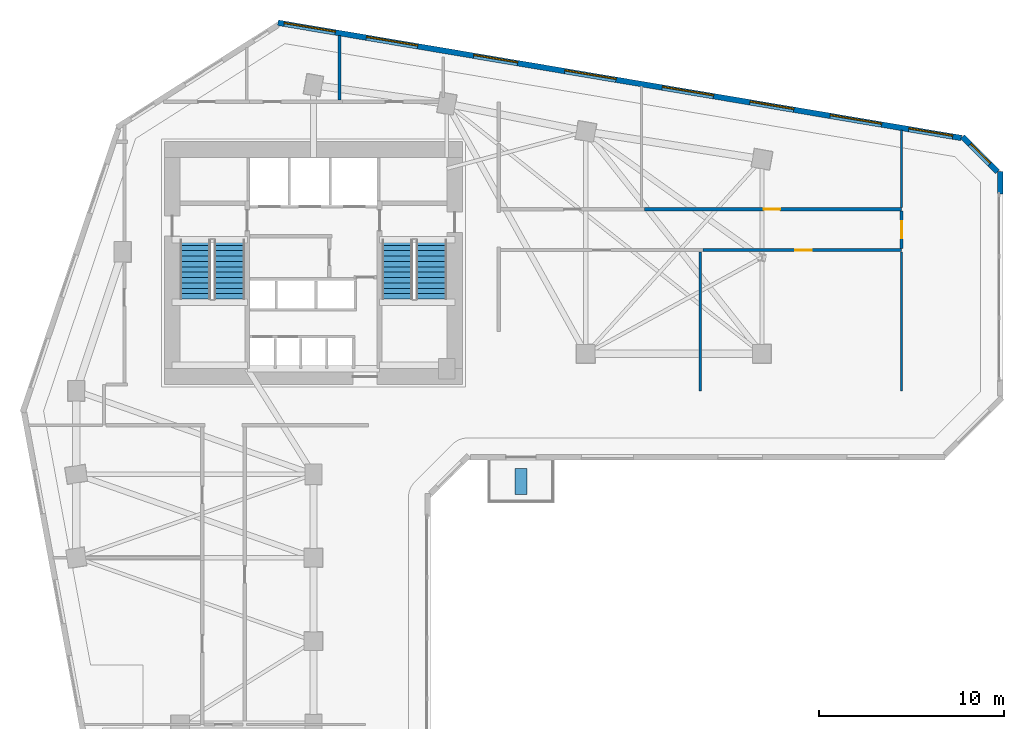
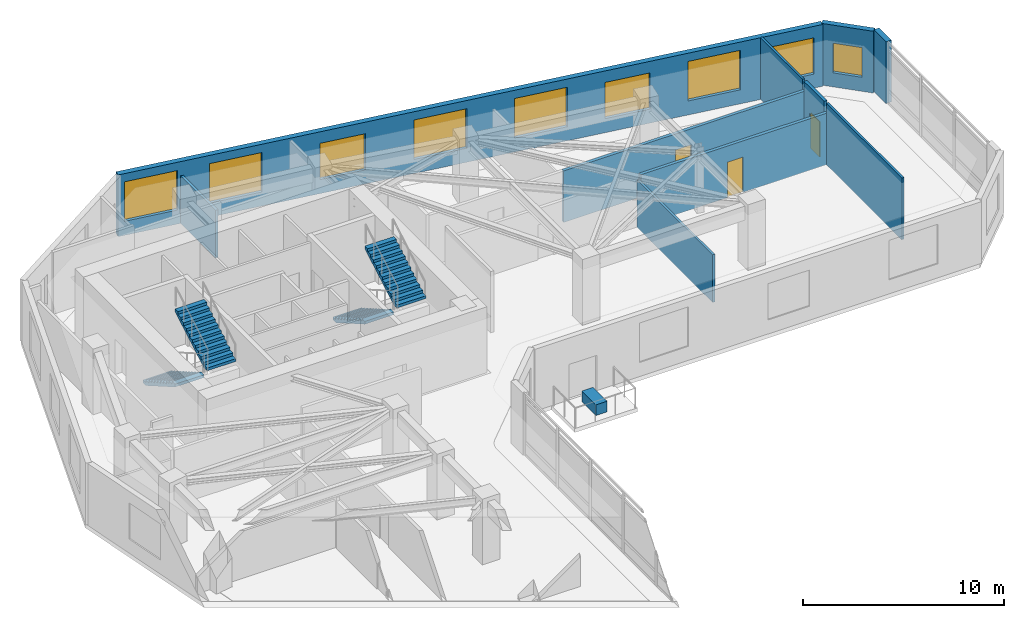
# One storey, part 9 of 11: 10 walls, 9 windows, 4 stair flights, 3 doors, 1 discrete accessory, 12 openings, 2 elements without a shape of their own.
"""IFC4 building model written with IfcOpenShell, lengths in metres."""

from ifc_helpers import new_model, si_unit, direction, frame, frame_2d, origin, origin_2d, place, context, subcontext, project, spatial, polyline, rectangle, outline, extrude, source, transform, mapped, material, layer, layer_set, type_object, element, fill, aggregate, save


model = new_model("IFC4")

# Units and contexts
model_context = context("Model", 3, precision=1e-05, world=origin(), true_north=direction((0.0, 1.0)))
body_context = subcontext(model_context, "Body", "Model", "MODEL_VIEW")
ifc_project = project(units=[si_unit("LENGTHUNIT", "METRE"), si_unit("AREAUNIT", "SQUARE_METRE"), si_unit("VOLUMEUNIT", "CUBIC_METRE"), si_unit("PLANEANGLEUNIT", "RADIAN"), si_unit("MASSUNIT", "GRAM", prefix="KILO")], contexts=[model_context])

# Site, building, storey
site_placement = place(None, origin())
site = spatial("IfcSite", under=ifc_project, at=site_placement, CompositionType="ELEMENT")
building_placement = place(site_placement, origin())
building = spatial("IfcBuilding", under=site, at=building_placement, Name="Calvemar Wedge Station Tower", CompositionType="ELEMENT")
storey_placement = place(building_placement, frame((0.0, 0.0, 43.0)))
storey = spatial("IfcBuildingStorey", under=building, at=storey_placement, Name="L10", CompositionType="ELEMENT", Elevation=43.0)

# Wall, opening, door
ifc_material_1 = material(Name="Double-stud fire-rated corridor partition")
ifc_layer_1 = layer(ifc_material_1, 0.179931640625)
ifc_layer_set_1 = layer_set([ifc_layer_1], Name="Double-stud fire-rated corridor partition")
wall_type_1 = type_object("IfcWallType", Name="W-CORR-180", PredefinedType="PARTITIONING", material=ifc_layer_set_1)
wall_1_placement = place(storey_placement, frame((55.534912109375, 40.60009765625, 0.0), z_axis=(0.0, 0.0, 1.0), x_axis=(-1.0, 0.0, 0.0)))
wall_1 = element("IfcWall", 1, at=wall_1_placement, inside=storey, type_object=wall_type_1, Name="Storey L10 Interior Partition WL-L10-020", PredefinedType="PARTITIONING", context=body_context, shape_type="SweptSolid", body=[
    extrude(rectangle(XDim=10.705810546875, YDim=0.179931640625, at=frame_2d((5.35302734375, 0.0))), origin(), (0.0, 0.0, 1.0), 3.125),
])
shared_shape_1 = source(origin(), body_context, "Body", "SweptSolid", [
    extrude(rectangle(XDim=0.89990234375, YDim=2.14990234375, at=frame_2d((0.449951171875, 1.074951171875))), frame((0.0, 0.10009765625, 0.0), z_axis=(0.0, -1.0, 0.0), x_axis=(1.0, 0.0, 0.0)), (0.0, 0.0, 1.0), 0.199951171875),
])
opening_1_placement = place(wall_1_placement, frame((4.843017578125, 0.0, 0.0)))
opening_1 = element("IfcOpeningElement", 2, at=opening_1_placement, cuts=wall_1, Name="Opening D-01", PredefinedType="OPENING", context=body_context, shape_type="MappedRepresentation", body=[
    mapped(shared_shape_1, transform((0.0, 0.0, 0.0), scale=1.0)),
])
ifc_material_2 = material(Name="Architectural hardwood acoustic swing door", Category="wood")
door_type = type_object("IfcDoorType", Name="DR-INT-900", OperationType="NOTDEFINED", PredefinedType="DOOR", material=ifc_material_2)
shared_shape_2 = source(origin(), body_context, "Body", "SweptSolid", [
    extrude(rectangle(XDim=0.89990234375, YDim=2.14990234375, at=frame_2d((0.449951171875, 1.074951171875))), frame((0.0, 0.02490234375, 0.0), z_axis=(0.0, -1.0, 0.0), x_axis=(1.0, 0.0, 0.0)), (0.0, 0.0, 1.0), 0.050048828125),
])
door_1_placement = place(opening_1_placement, origin())
door_1 = element("IfcDoor", 3, at=door_1_placement, inside=storey, type_object=door_type, Name="L10 Meeting Room Door", OperationType="SINGLE_SWING_LEFT", OverallHeight=2.14990234375, OverallWidth=0.89990234375, PredefinedType="DOOR", context=body_context, shape_type="MappedRepresentation", body=[
    mapped(shared_shape_2, transform((0.0, 0.0, 0.0), scale=1.0)),
])
fill(opening_1, door_1)

wall_2_placement = place(storey_placement, frame((41.662109375, 42.800048828125, 0.0), z_axis=(0.0, 0.0, 1.0), x_axis=(1.0, 0.0, 0.0)))
wall_2 = element("IfcWall", 4, at=wall_2_placement, inside=storey, type_object=wall_type_1, Name="Storey L10 Interior Partition WL-L10-022", PredefinedType="PARTITIONING", context=body_context, shape_type="SweptSolid", body=[
    extrude(rectangle(XDim=13.872802734375, YDim=0.179931640625, at=frame_2d((6.9365234375, 0.0))), origin(), (0.0, 0.0, 1.0), 3.125),
])
opening_2_placement = place(wall_2_placement, frame((6.42626953125, 0.0, 0.0)))
opening_2 = element("IfcOpeningElement", 5, at=opening_2_placement, cuts=wall_2, Name="Opening D-01", PredefinedType="OPENING", context=body_context, shape_type="MappedRepresentation", body=[
    mapped(shared_shape_1, transform((0.0, 0.0, 0.0), scale=1.0)),
])
door_2_placement = place(opening_2_placement, origin())
door_2 = element("IfcDoor", 6, at=door_2_placement, inside=storey, type_object=door_type, Name="L10 Co-Working Studio Door", OperationType="SINGLE_SWING_LEFT", OverallHeight=2.14990234375, OverallWidth=0.89990234375, PredefinedType="DOOR", context=body_context, shape_type="MappedRepresentation", body=[
    mapped(shared_shape_2, transform((0.0, 0.0, 0.0), scale=1.0)),
])
fill(opening_2, door_2)

wall_3_placement = place(storey_placement, frame((55.534912109375, 42.7060546875, 0.0), z_axis=(0.0, 0.0, 1.0), x_axis=(0.0, -1.0, 0.0)))
wall_3 = element("IfcWall", 7, at=wall_3_placement, inside=storey, type_object=wall_type_1, Name="Storey L10 Interior Partition WL-L10-023", PredefinedType="PARTITIONING", context=body_context, shape_type="SweptSolid", body=[
    extrude(rectangle(XDim=2.011962890625, YDim=0.179931640625, at=frame_2d((1.005859375, 0.0))), origin(), (0.0, 0.0, 1.0), 3.75),
])
opening_3_placement = place(wall_3_placement, frame((0.555908203125, 0.0, 0.0)))
opening_3 = element("IfcOpeningElement", 8, at=opening_3_placement, cuts=wall_3, Name="Opening D-01", PredefinedType="OPENING", context=body_context, shape_type="MappedRepresentation", body=[
    mapped(shared_shape_1, transform((0.0, 0.0, 0.0), scale=1.0)),
])
door_3_placement = place(opening_3_placement, origin())
door_3 = element("IfcDoor", 9, at=door_3_placement, inside=storey, type_object=door_type, Name="L10 Staff Lounge Door", OperationType="SINGLE_SWING_RIGHT", OverallHeight=2.14990234375, OverallWidth=0.89990234375, PredefinedType="DOOR", context=body_context, shape_type="MappedRepresentation", body=[
    mapped(shared_shape_2, transform((0.0, 0.0, 0.0), scale=1.0)),
])
fill(opening_3, door_3)

# Wall
ifc_material_3 = material(Name="Precast concrete C45", Category="concrete")
ifc_layer_2 = layer(ifc_material_3, 0.300048828125)
ifc_layer_set_2 = layer_set([ifc_layer_2], Name="Precast concrete C45")
wall_type_2 = type_object("IfcWallType", Name="W-EXT-GFRC-300", PredefinedType="SOLIDWALL", material=ifc_layer_set_2)
wall_4_placement = place(storey_placement, frame((60.85009765625, 43.622802734375, 0.0), z_axis=(0.0, 0.0, 1.0), x_axis=(0.0, 1.0, 0.0)))
element("IfcWall", 10, at=wall_4_placement, inside=storey, type_object=wall_type_2, Name="Storey L10 Bronze GFRC Corner Pier 8B", PredefinedType="SOLIDWALL", context=body_context, shape_type="SweptSolid", body=[
    extrude(rectangle(XDim=1.22509765625, YDim=0.300048828125, at=frame_2d((0.612548828125, 0.0))), origin(), (0.0, 0.0, 1.0), 3.75),
])

# Wall, opening, window
wall_5_placement = place(storey_placement, frame((60.7119140625, 44.8359375, 0.0), z_axis=(0.0, 0.0, 1.0), x_axis=(-0.707106781187, 0.707106781187, 0.0)))
wall_5 = element("IfcWall", 11, at=wall_5_placement, inside=storey, type_object=wall_type_2, Name="Storey L10 Bronze GFRC Exterior Wall 9", PredefinedType="SOLIDWALL", context=body_context, shape_type="SweptSolid", body=[
    extrude(rectangle(XDim=2.673095703125, YDim=0.300048828125, at=frame_2d((1.33642578125, 0.0))), origin(), (0.0, 0.0, 1.0), 3.75),
])
shared_shape_3 = source(origin(), body_context, "Body", "SweptSolid", [
    extrude(rectangle(XDim=1.5, YDim=1.800048828125, at=frame_2d((0.75, 0.89990234375))), frame((0.0, 0.16015625, 0.0), z_axis=(0.0, -1.0, 0.0), x_axis=(1.0, 0.0, 0.0)), (0.0, 0.0, 1.0), 0.320068359375),
])
opening_4_placement = place(wall_5_placement, frame((0.5869140625, 0.0, 0.85009765625)))
opening_4 = element("IfcOpeningElement", 12, at=opening_4_placement, cuts=wall_5, Name="Opening W3", PredefinedType="OPENING", context=body_context, shape_type="MappedRepresentation", body=[
    mapped(shared_shape_3, transform((0.0, 0.0, 0.0), scale=1.0)),
])
ifc_material_4 = material(Name="Low-E laminated insulated glass", Category="glass")
window_type_1 = type_object("IfcWindowType", Name="WIN-EXT-3", PartitioningType="SINGLE_PANEL", PredefinedType="WINDOW", material=ifc_material_4)
shared_shape_4 = source(origin(), body_context, "Body", "SweptSolid", [
    extrude(rectangle(XDim=1.5, YDim=1.800048828125, at=frame_2d((0.75, 0.89990234375))), frame((0.0, -0.014892578125, 0.0), z_axis=(0.0, -1.0, 0.0), x_axis=(1.0, 0.0, 0.0)), (0.0, 0.0, 1.0), 0.06005859375),
])
window_1_placement = place(opening_4_placement, origin())
window_1 = element("IfcWindow", 13, at=window_1_placement, inside=storey, type_object=window_type_1, Name="Storey L10 Recessed Window 9.1", OverallHeight=1.800048828125, OverallWidth=1.5, PartitioningType="SINGLE_PANEL", PredefinedType="WINDOW", context=body_context, shape_type="MappedRepresentation", body=[
    mapped(shared_shape_4, transform((0.0, 0.0, 0.0), scale=1.0)),
])
fill(opening_4, window_1)

# Wall, openings, windows
wall_6_placement = place(storey_placement, frame((58.7607421875, 46.648193359375, 0.0), z_axis=(0.0, 0.0, 1.0), x_axis=(-0.98607502735, 0.166301053624, 0.0)))
wall_6 = element("IfcWall", 14, at=wall_6_placement, inside=storey, type_object=wall_type_2, Name="Storey L10 Bronze GFRC Exterior Wall 10", PredefinedType="SOLIDWALL", context=body_context, shape_type="SweptSolid", body=[
    extrude(rectangle(XDim=37.3974609375, YDim=0.300048828125, at=frame_2d((18.69873046875, 0.0))), origin(), (0.0, 0.0, 1.0), 3.75),
])
shared_shape_5 = source(origin(), body_context, "Body", "SweptSolid", [
    extrude(rectangle(XDim=2.39990234375, YDim=2.199951171875, at=frame_2d((1.199951171875, 1.10009765625))), frame((0.0, 0.16015625, 0.0), z_axis=(0.0, -1.0, 0.0), x_axis=(1.0, 0.0, 0.0)), (0.0, 0.0, 1.0), 0.320068359375),
])
opening_5_placement = place(wall_6_placement, frame((0.47607421875, 0.0, 0.85009765625)))
opening_5 = element("IfcOpeningElement", 15, at=opening_5_placement, cuts=wall_6, Name="Opening W1", PredefinedType="OPENING", context=body_context, shape_type="MappedRepresentation", body=[
    mapped(shared_shape_5, transform((0.0, 0.0, 0.0), scale=1.0)),
])
shared_shape_6 = source(origin(), body_context, "Body", "SweptSolid", [
    extrude(rectangle(XDim=2.800048828125, YDim=2.39990234375, at=frame_2d((1.39990234375, 1.199951171875))), frame((0.0, 0.16015625, 0.0), z_axis=(0.0, -1.0, 0.0), x_axis=(1.0, 0.0, 0.0)), (0.0, 0.0, 1.0), 0.320068359375),
])
opening_6_placement = place(wall_6_placement, frame((4.37109375, 0.0, 0.85009765625)))
opening_6 = element("IfcOpeningElement", 16, at=opening_6_placement, cuts=wall_6, Name="Opening W6", PredefinedType="OPENING", context=body_context, shape_type="MappedRepresentation", body=[
    mapped(shared_shape_6, transform((0.0, 0.0, 0.0), scale=1.0)),
])
opening_7_placement = place(wall_6_placement, frame((9.1689453125, 0.0, 0.85009765625)))
opening_7 = element("IfcOpeningElement", 17, at=opening_7_placement, cuts=wall_6, Name="Opening W1", PredefinedType="OPENING", context=body_context, shape_type="MappedRepresentation", body=[
    mapped(shared_shape_5, transform((0.0, 0.0, 0.0), scale=1.0)),
])
opening_8_placement = place(wall_6_placement, frame((13.56591796875, 0.0, 0.85009765625)))
opening_8 = element("IfcOpeningElement", 18, at=opening_8_placement, cuts=wall_6, Name="Opening W6", PredefinedType="OPENING", context=body_context, shape_type="MappedRepresentation", body=[
    mapped(shared_shape_6, transform((0.0, 0.0, 0.0), scale=1.0)),
])
opening_9_placement = place(wall_6_placement, frame((18.89892578125, 0.0, 0.85009765625)))
opening_9 = element("IfcOpeningElement", 19, at=opening_9_placement, cuts=wall_6, Name="Opening W6", PredefinedType="OPENING", context=body_context, shape_type="MappedRepresentation", body=[
    mapped(shared_shape_6, transform((0.0, 0.0, 0.0), scale=1.0)),
])
opening_10_placement = place(wall_6_placement, frame((24.285888671875, 0.0, 0.85009765625)))
opening_10 = element("IfcOpeningElement", 20, at=opening_10_placement, cuts=wall_6, Name="Opening W1", PredefinedType="OPENING", context=body_context, shape_type="MappedRepresentation", body=[
    mapped(shared_shape_5, transform((0.0, 0.0, 0.0), scale=1.0)),
])
opening_11_placement = place(wall_6_placement, frame((29.757080078125, 0.0, 0.85009765625)))
opening_11 = element("IfcOpeningElement", 21, at=opening_11_placement, cuts=wall_6, Name="Opening W6", PredefinedType="OPENING", context=body_context, shape_type="MappedRepresentation", body=[
    mapped(shared_shape_6, transform((0.0, 0.0, 0.0), scale=1.0)),
])
opening_12_placement = place(wall_6_placement, frame((34.256103515625, 0.0, 0.85009765625)))
opening_12 = element("IfcOpeningElement", 22, at=opening_12_placement, cuts=wall_6, Name="Opening W6", PredefinedType="OPENING", context=body_context, shape_type="MappedRepresentation", body=[
    mapped(shared_shape_6, transform((0.0, 0.0, 0.0), scale=1.0)),
])
window_type_2 = type_object("IfcWindowType", Name="WIN-EXT-6", PartitioningType="SINGLE_PANEL", PredefinedType="WINDOW", material=ifc_material_4)
shared_shape_7 = source(origin(), body_context, "Body", "SweptSolid", [
    extrude(rectangle(XDim=2.800048828125, YDim=2.39990234375, at=frame_2d((1.39990234375, 1.199951171875))), frame((0.0, -0.014892578125, 0.0), z_axis=(0.0, -1.0, 0.0), x_axis=(1.0, 0.0, 0.0)), (0.0, 0.0, 1.0), 0.06005859375),
])
window_2_placement = place(opening_6_placement, origin())
window_2 = element("IfcWindow", 23, at=window_2_placement, inside=storey, type_object=window_type_2, Name="Storey L10 Recessed Window 10.2", OverallHeight=2.39990234375, OverallWidth=2.800048828125, PartitioningType="SINGLE_PANEL", PredefinedType="WINDOW", context=body_context, shape_type="MappedRepresentation", body=[
    mapped(shared_shape_7, transform((0.0, 0.0, 0.0), scale=1.0)),
])
fill(opening_6, window_2)
window_3_placement = place(opening_8_placement, origin())
window_3 = element("IfcWindow", 24, at=window_3_placement, inside=storey, type_object=window_type_2, Name="Storey L10 Recessed Window 10.4", OverallHeight=2.39990234375, OverallWidth=2.800048828125, PartitioningType="SINGLE_PANEL", PredefinedType="WINDOW", context=body_context, shape_type="MappedRepresentation", body=[
    mapped(shared_shape_7, transform((0.0, 0.0, 0.0), scale=1.0)),
])
fill(opening_8, window_3)
window_4_placement = place(opening_9_placement, origin())
window_4 = element("IfcWindow", 25, at=window_4_placement, inside=storey, type_object=window_type_2, Name="Storey L10 Recessed Window 10.5", OverallHeight=2.39990234375, OverallWidth=2.800048828125, PartitioningType="SINGLE_PANEL", PredefinedType="WINDOW", context=body_context, shape_type="MappedRepresentation", body=[
    mapped(shared_shape_7, transform((0.0, 0.0, 0.0), scale=1.0)),
])
fill(opening_9, window_4)
window_5_placement = place(opening_11_placement, origin())
window_5 = element("IfcWindow", 26, at=window_5_placement, inside=storey, type_object=window_type_2, Name="Storey L10 Recessed Window 10.7", OverallHeight=2.39990234375, OverallWidth=2.800048828125, PartitioningType="SINGLE_PANEL", PredefinedType="WINDOW", context=body_context, shape_type="MappedRepresentation", body=[
    mapped(shared_shape_7, transform((0.0, 0.0, 0.0), scale=1.0)),
])
fill(opening_11, window_5)
window_6_placement = place(opening_12_placement, origin())
window_6 = element("IfcWindow", 27, at=window_6_placement, inside=storey, type_object=window_type_2, Name="Storey L10 Recessed Window 10.8", OverallHeight=2.39990234375, OverallWidth=2.800048828125, PartitioningType="SINGLE_PANEL", PredefinedType="WINDOW", context=body_context, shape_type="MappedRepresentation", body=[
    mapped(shared_shape_7, transform((0.0, 0.0, 0.0), scale=1.0)),
])
fill(opening_12, window_6)
window_type_3 = type_object("IfcWindowType", Name="WIN-EXT-1", PartitioningType="SINGLE_PANEL", PredefinedType="WINDOW", material=ifc_material_4)
shared_shape_8 = source(origin(), body_context, "Body", "SweptSolid", [
    extrude(rectangle(XDim=2.39990234375, YDim=2.199951171875, at=frame_2d((1.199951171875, 1.10009765625))), frame((0.0, -0.014892578125, 0.0), z_axis=(0.0, -1.0, 0.0), x_axis=(1.0, 0.0, 0.0)), (0.0, 0.0, 1.0), 0.06005859375),
])
window_7_placement = place(opening_5_placement, origin())
window_7 = element("IfcWindow", 28, at=window_7_placement, inside=storey, type_object=window_type_3, Name="Storey L10 Recessed Window 10.1", OverallHeight=2.199951171875, OverallWidth=2.39990234375, PartitioningType="SINGLE_PANEL", PredefinedType="WINDOW", context=body_context, shape_type="MappedRepresentation", body=[
    mapped(shared_shape_8, transform((0.0, 0.0, 0.0), scale=1.0)),
])
fill(opening_5, window_7)
window_8_placement = place(opening_7_placement, origin())
window_8 = element("IfcWindow", 29, at=window_8_placement, inside=storey, type_object=window_type_3, Name="Storey L10 Recessed Window 10.3", OverallHeight=2.199951171875, OverallWidth=2.39990234375, PartitioningType="SINGLE_PANEL", PredefinedType="WINDOW", context=body_context, shape_type="MappedRepresentation", body=[
    mapped(shared_shape_8, transform((0.0, 0.0, 0.0), scale=1.0)),
])
fill(opening_7, window_8)
window_9_placement = place(opening_10_placement, origin())
window_9 = element("IfcWindow", 30, at=window_9_placement, inside=storey, type_object=window_type_3, Name="Storey L10 Recessed Window 10.6", OverallHeight=2.199951171875, OverallWidth=2.39990234375, PartitioningType="SINGLE_PANEL", PredefinedType="WINDOW", context=body_context, shape_type="MappedRepresentation", body=[
    mapped(shared_shape_8, transform((0.0, 0.0, 0.0), scale=1.0)),
])
fill(opening_10, window_9)

# Walls
ifc_material_5 = material(Name="Insulated acoustic gypsum stud partition")
ifc_layer_3 = layer(ifc_material_5, 0.125)
ifc_layer_set_3 = layer_set([ifc_layer_3], Name="Insulated acoustic gypsum stud partition")
wall_type_3 = type_object("IfcWallType", Name="W-PART-125", PredefinedType="PARTITIONING", material=ifc_layer_set_3)
wall_7_placement = place(storey_placement, frame((44.6669921875, 40.506103515625, 0.0), z_axis=(0.0, 0.0, 1.0), x_axis=(0.0, -1.0, 0.0)))
element("IfcWall", 31, at=wall_7_placement, inside=storey, type_object=wall_type_3, Name="Storey L10 Interior Partition WL-L10-024", PredefinedType="PARTITIONING", context=body_context, shape_type="SweptSolid", body=[
    extrude(rectangle(XDim=7.506103515625, YDim=0.125, at=frame_2d((3.7529296875, 0.0))), origin(), (0.0, 0.0, 1.0), 2.89208984375),
])
wall_8_placement = place(storey_placement, frame((55.534912109375, 40.506103515625, 0.0), z_axis=(0.0, 0.0, 1.0), x_axis=(0.0, -1.0, 0.0)))
element("IfcWall", 32, at=wall_8_placement, inside=storey, type_object=wall_type_3, Name="Storey L10 Interior Partition WL-L10-025", PredefinedType="PARTITIONING", context=body_context, shape_type="SweptSolid", body=[
    extrude(rectangle(XDim=7.506103515625, YDim=0.125, at=frame_2d((3.7529296875, 0.0))), origin(), (0.0, 0.0, 1.0), 3.75),
])
wall_9_placement = place(storey_placement, frame((55.534912109375, 47.07568359375, 0.0), z_axis=(0.0, 0.0, 1.0), x_axis=(0.0, -1.0, 0.0)))
element("IfcWall", 33, at=wall_9_placement, inside=storey, type_object=wall_type_3, Name="Storey L10 Interior Partition WL-L10-027", PredefinedType="PARTITIONING", context=body_context, shape_type="SweptSolid", body=[
    extrude(rectangle(XDim=4.181640625, YDim=0.125, at=frame_2d((2.0908203125, 0.0))), origin(), (0.0, 0.0, 1.0), 3.75),
])
ifc_material_6 = material(Name="Moisture-resistant acoustic bathroom partition")
ifc_layer_4 = layer(ifc_material_6, 0.14990234375)
ifc_layer_set_4 = layer_set([ifc_layer_4], Name="Moisture-resistant acoustic bathroom partition")
wall_type_4 = type_object("IfcWallType", Name="W-WET-150", PredefinedType="PARTITIONING", material=ifc_layer_set_4)
wall_10_placement = place(storey_placement, frame((25.199951171875, 52.191650390625, 0.0), z_axis=(0.0, 0.0, 1.0), x_axis=(0.0, -1.0, 0.0)))
element("IfcWall", 34, at=wall_10_placement, inside=storey, type_object=wall_type_4, Name="Storey L10 Interior Partition WL-L10-018", PredefinedType="PARTITIONING", context=body_context, shape_type="SweptSolid", body=[
    extrude(rectangle(XDim=3.49755859375, YDim=0.14990234375, at=frame_2d((1.748779296875, 0.0))), origin(), (0.0, 0.0, 1.0), 2.89208984375),
])

# Stair, stair flights
ifc_material_7 = material(Name="Concrete C45", Category="concrete")
stair_type = type_object("IfcStairType", Name="ST-TYPE-4000", PredefinedType="HALF_TURN_STAIR", material=ifc_material_7)
stair_1_placement = place(storey_placement, origin())
stair_1 = element("IfcStair", 35, at=stair_1_placement, inside=storey, type_object=stair_type, Name="L10 Pressurized Core Exit Stair ST-C1", PredefinedType="HALF_TURN_STAIR")
stair_flight_type = type_object("IfcStairFlightType", Name="STF-TYPE-4000", PredefinedType="STRAIGHT", material=ifc_material_7)
stair_flight_1_placement = place(storey_placement, frame((17.429931640625, 41.14990234375, 0.0), z_axis=(0.0, 0.0, 1.0), x_axis=(0.0, -1.0, 0.0)))
stair_flight_1 = element("IfcStairFlight", 36, at=stair_flight_1_placement, type_object=stair_flight_type, Name="ST-C1 flight 1", NumberOfRisers=12, NumberOfTreads=11, PredefinedType="STRAIGHT", RiserHeight=0.166666667, TreadLength=0.29, context=body_context, shape_type="SweptSolid", body=[
    extrude(outline(polyline([(0.0, 0.0), (0.0, 0.166748046875), (0.2900390625, 0.166748046875), (0.2900390625, 0.333251953125), (0.580078125, 0.333251953125), (0.580078125, 0.5), (0.8701171875, 0.5), (0.8701171875, 0.666748046875), (1.159912109375, 0.666748046875), (1.159912109375, 0.833251953125), (1.449951171875, 0.833251953125), (1.449951171875, 1.0), (1.739990234375, 1.0), (1.739990234375, 1.166748046875), (2.030029296875, 1.166748046875), (2.030029296875, 1.333251953125), (2.320068359375, 1.333251953125), (2.320068359375, 1.5), (2.610107421875, 1.5), (2.610107421875, 1.666748046875), (2.89990234375, 1.666748046875), (2.89990234375, 1.833251953125), (3.18994140625, 1.833251953125), (3.18994140625, 2.0), (3.18994140625, 1.660400390625), (0.30078125, 0.0), (0.0, 0.0)])), frame((0.0, 0.830078125, 0.0), z_axis=(0.0, -1.0, 0.0), x_axis=(1.0, 0.0, 0.0)), (0.0, 0.0, 1.0), 1.659912109375),
])
stair_flight_2_placement = place(storey_placement, frame((19.27001953125, 37.9599609375, 2.0), z_axis=(0.0, 0.0, 1.0), x_axis=(0.0, 1.0, 0.0)))
stair_flight_2 = element("IfcStairFlight", 37, at=stair_flight_2_placement, type_object=stair_flight_type, Name="ST-C1 flight 2", NumberOfRisers=12, NumberOfTreads=11, PredefinedType="STRAIGHT", RiserHeight=0.166666667, TreadLength=0.29, context=body_context, shape_type="SweptSolid", body=[
    extrude(outline(polyline([(0.0, 0.0), (0.0, 0.166748046875), (0.2900390625, 0.166748046875), (0.2900390625, 0.333251953125), (0.580078125, 0.333251953125), (0.580078125, 0.5), (0.8701171875, 0.5), (0.8701171875, 0.666748046875), (1.159912109375, 0.666748046875), (1.159912109375, 0.833251953125), (1.449951171875, 0.833251953125), (1.449951171875, 1.0), (1.739990234375, 1.0), (1.739990234375, 1.166748046875), (2.030029296875, 1.166748046875), (2.030029296875, 1.333251953125), (2.320068359375, 1.333251953125), (2.320068359375, 1.5), (2.610107421875, 1.5), (2.610107421875, 1.666748046875), (2.89990234375, 1.666748046875), (2.89990234375, 1.833251953125), (3.18994140625, 1.833251953125), (3.18994140625, 2.0), (3.18994140625, 1.660400390625), (0.30078125, 0.0), (0.0, 0.0)])), frame((0.0, 0.830078125, 0.0), z_axis=(0.0, -1.0, 0.0), x_axis=(1.0, 0.0, 0.0)), (0.0, 0.0, 1.0), 1.659912109375),
])
aggregate(stair_1, [stair_flight_1, stair_flight_2])

stair_2_placement = place(storey_placement, origin())
stair_2 = element("IfcStair", 38, at=stair_2_placement, inside=storey, type_object=stair_type, Name="L10 Pressurized Core Exit Stair ST-C2", PredefinedType="HALF_TURN_STAIR")
stair_flight_3_placement = place(storey_placement, frame((28.330078125, 41.14990234375, 0.0), z_axis=(0.0, 0.0, 1.0), x_axis=(0.0, -1.0, 0.0)))
stair_flight_3 = element("IfcStairFlight", 39, at=stair_flight_3_placement, type_object=stair_flight_type, Name="ST-C2 flight 1", NumberOfRisers=12, NumberOfTreads=11, PredefinedType="STRAIGHT", RiserHeight=0.166666667, TreadLength=0.29, context=body_context, shape_type="SweptSolid", body=[
    extrude(outline(polyline([(0.0, 0.0), (0.0, 0.166748046875), (0.2900390625, 0.166748046875), (0.2900390625, 0.333251953125), (0.580078125, 0.333251953125), (0.580078125, 0.5), (0.8701171875, 0.5), (0.8701171875, 0.666748046875), (1.159912109375, 0.666748046875), (1.159912109375, 0.833251953125), (1.449951171875, 0.833251953125), (1.449951171875, 1.0), (1.739990234375, 1.0), (1.739990234375, 1.166748046875), (2.030029296875, 1.166748046875), (2.030029296875, 1.333251953125), (2.320068359375, 1.333251953125), (2.320068359375, 1.5), (2.610107421875, 1.5), (2.610107421875, 1.666748046875), (2.89990234375, 1.666748046875), (2.89990234375, 1.833251953125), (3.18994140625, 1.833251953125), (3.18994140625, 2.0), (3.18994140625, 1.660400390625), (0.30078125, 0.0), (0.0, 0.0)])), frame((0.0, 0.830078125, 0.0), z_axis=(0.0, -1.0, 0.0), x_axis=(1.0, 0.0, 0.0)), (0.0, 0.0, 1.0), 1.659912109375),
])
stair_flight_4_placement = place(storey_placement, frame((30.169921875, 37.9599609375, 2.0), z_axis=(0.0, 0.0, 1.0), x_axis=(0.0, 1.0, 0.0)))
stair_flight_4 = element("IfcStairFlight", 40, at=stair_flight_4_placement, type_object=stair_flight_type, Name="ST-C2 flight 2", NumberOfRisers=12, NumberOfTreads=11, PredefinedType="STRAIGHT", RiserHeight=0.166666667, TreadLength=0.29, context=body_context, shape_type="SweptSolid", body=[
    extrude(outline(polyline([(0.0, 0.0), (0.0, 0.166748046875), (0.2900390625, 0.166748046875), (0.2900390625, 0.333251953125), (0.580078125, 0.333251953125), (0.580078125, 0.5), (0.8701171875, 0.5), (0.8701171875, 0.666748046875), (1.159912109375, 0.666748046875), (1.159912109375, 0.833251953125), (1.449951171875, 0.833251953125), (1.449951171875, 1.0), (1.739990234375, 1.0), (1.739990234375, 1.166748046875), (2.030029296875, 1.166748046875), (2.030029296875, 1.333251953125), (2.320068359375, 1.333251953125), (2.320068359375, 1.5), (2.610107421875, 1.5), (2.610107421875, 1.666748046875), (2.89990234375, 1.666748046875), (2.89990234375, 1.833251953125), (3.18994140625, 1.833251953125), (3.18994140625, 2.0), (3.18994140625, 1.660400390625), (0.30078125, 0.0), (0.0, 0.0)])), frame((0.0, 0.830078125, 0.0), z_axis=(0.0, -1.0, 0.0), x_axis=(1.0, 0.0, 0.0)), (0.0, 0.0, 1.0), 1.659912109375),
])
aggregate(stair_2, [stair_flight_3, stair_flight_4])

# Discrete accessory
discrete_accessory_type = type_object("IfcDiscreteAccessoryType", Name="ACC-PLANTER", PredefinedType="USERDEFINED", material=ifc_material_3)
shared_shape_9 = source(origin(), body_context, "Body", "SweptSolid", [
    extrude(rectangle(XDim=0.64990234375, YDim=1.39990234375, at=origin_2d()), origin(), (0.0, 0.0, 1.0), 0.64990234375),
])
discrete_accessory_placement = place(storey_placement, frame((35.0, 28.110107421875, 0.0), z_axis=(0.0, 0.0, 1.0), x_axis=(1.0, 0.0, 0.0)))
element("IfcDiscreteAccessory", 41, at=discrete_accessory_placement, inside=storey, type_object=discrete_accessory_type, Name="Storey L10 Planted Terrace GFRC Planter", ObjectType="PLANTER", PredefinedType="USERDEFINED", context=body_context, shape_type="MappedRepresentation", body=[
    mapped(shared_shape_9, transform((0.0, 0.0, 0.0), scale=1.0)),
])

save(model, "model.ifc")
